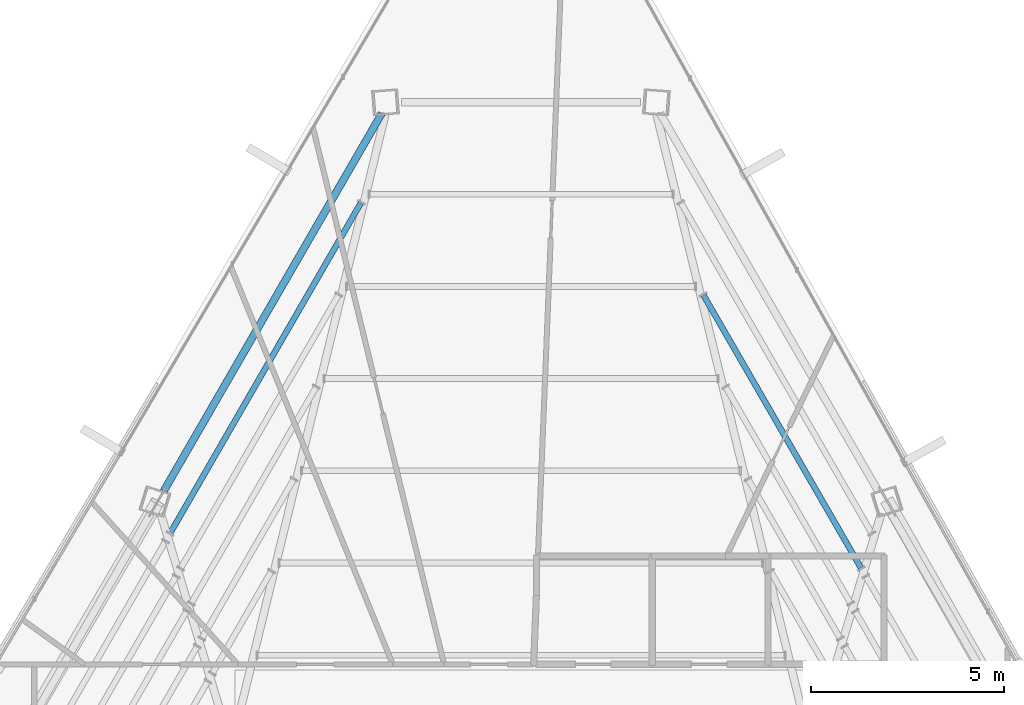
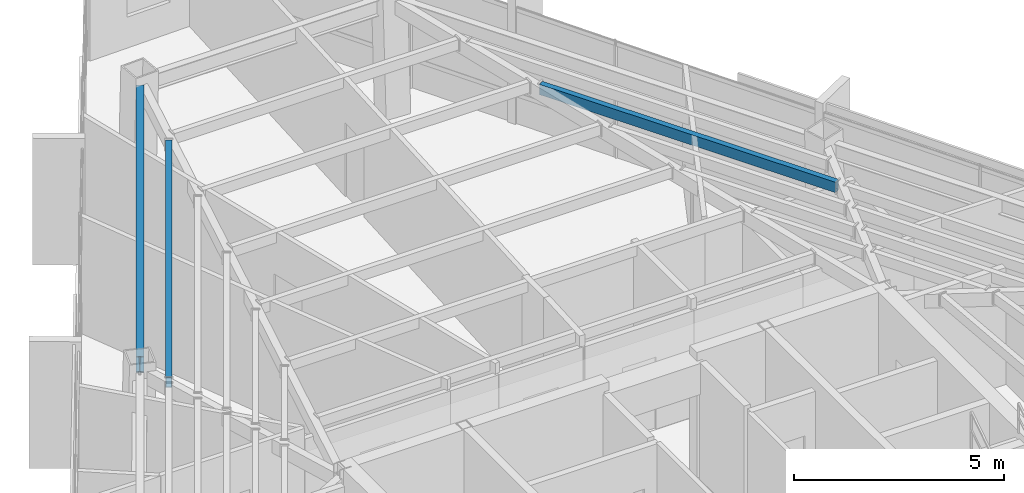
# One storey, part 31 of 48: 3 beams.
"""IFC4 building model written with IfcOpenShell, lengths in metres."""

import ifcopenshell
import ifcopenshell.guid

model = None  # the IFC model being written
_history = None  # IfcOwnerHistory: only IFC2X3 demands one
_inside = {}  # id of a spatial element -> (the spatial element, [elements in it])
_under = {}  # id of a project, library or spatial element -> (it, [spatial elements below it])
_declared = {}  # id of a project -> (the project, [libraries it declares])
_typed = {}  # id of a type object -> (the type object, [elements of that type])
_made_of = {}  # id of a material, layer set ... -> (it, [elements and type objects made of it])


def new_model(schema):
    """Start an empty IFC model of exactly this schema.

    Asked for "IFC4X3", IfcOpenShell would pick the latest addendum, in which some entities
    have other attributes; the version numbers below select the first issue.
    IFC2X3 requires an IfcOwnerHistory on every rooted entity: one is made here for all.
    """
    global model, _history
    if schema == "IFC4X3":
        model = ifcopenshell.file(schema_version=(4, 3, 0, 0))
    else:
        model = ifcopenshell.file(schema=schema)
    _inside.clear()
    _under.clear()
    _declared.clear()
    _typed.clear()
    _made_of.clear()
    _history = None
    if model.schema == "IFC2X3":
        org = make("IfcOrganization", Name="unknown")
        user = make(
            "IfcPersonAndOrganization",
            ThePerson=make("IfcPerson", FamilyName="unknown"),
            TheOrganization=org,
        )
        app = make(
            "IfcApplication",
            ApplicationDeveloper=org,
            Version="unknown",
            ApplicationFullName="unknown",
            ApplicationIdentifier="unknown",
        )
        _history = make(
            "IfcOwnerHistory",
            OwningUser=user,
            OwningApplication=app,
            ChangeAction="ADDED",
            CreationDate=0,
        )
    return model


def make(cls, **values):
    """One entity of the class cls with the attributes given. An attribute that is None is left unset."""
    return model.create_entity(
        cls, **{name: value for name, value in values.items() if value is not None}
    )


def rooted(cls, **values):
    """An entity with a GlobalId (a new one), such as an element, a storey or a relation."""
    return make(cls, GlobalId=ifcopenshell.guid.new(), OwnerHistory=_history, **values)


def si_unit(unit_type, name, prefix=None):
    """IfcSIUnit, for example si_unit("LENGTHUNIT", "METRE", prefix="MILLI")."""
    return make("IfcSIUnit", UnitType=unit_type, Prefix=prefix, Name=name)


def assignment(units):
    """IfcUnitAssignment: the units of a project."""
    return None if units is None else make("IfcUnitAssignment", Units=units)


def point(xyz):
    """IfcCartesianPoint."""
    return None if xyz is None else make("IfcCartesianPoint", Coordinates=xyz)


def direction(xyz):
    """IfcDirection."""
    return None if xyz is None else make("IfcDirection", DirectionRatios=xyz)


def frame(location, z_axis=None, x_axis=None):
    """IfcAxis2Placement3D, a coordinate frame: its origin and axes. An axis left out is left unset."""
    return make(
        "IfcAxis2Placement3D",
        Location=point(location),
        Axis=direction(z_axis),
        RefDirection=direction(x_axis),
    )


def frame_2d(location, x_axis=None):
    """IfcAxis2Placement2D, a coordinate frame in the plane: its origin and x axis."""
    return make(
        "IfcAxis2Placement2D", Location=point(location), RefDirection=direction(x_axis)
    )


def origin():
    """The frame at (0, 0, 0) with its axes left unset."""
    return frame((0.0, 0.0, 0.0))


def origin_2d():
    """The frame at (0, 0) in the plane with its x axis left unset."""
    return frame_2d((0.0, 0.0))


def place(relative_to, where):
    """IfcLocalPlacement: puts the frame where relative to a parent placement (None: the world)."""
    return make(
        "IfcLocalPlacement", PlacementRelTo=relative_to, RelativePlacement=where
    )


def context(
    kind, dimensions, precision=None, world=None, true_north=None, identifier=None
):
    """IfcGeometricRepresentationContext, for example the 3D "Model" context."""
    return make(
        "IfcGeometricRepresentationContext",
        ContextIdentifier=identifier,
        ContextType=kind,
        CoordinateSpaceDimension=dimensions,
        Precision=precision,
        WorldCoordinateSystem=world,
        TrueNorth=true_north,
    )


def subcontext(parent, identifier, kind, view, scale=None):
    """IfcGeometricRepresentationSubContext, for example "Body" below "Model"."""
    return make(
        "IfcGeometricRepresentationSubContext",
        ContextIdentifier=identifier,
        ContextType=kind,
        ParentContext=parent,
        TargetScale=scale,
        TargetView=view,
    )


def project(units=None, contexts=None):
    """IfcProject with its units and contexts."""
    return rooted(
        "IfcProject",
        Name="project",
        RepresentationContexts=contexts,
        UnitsInContext=assignment(units),
    )


def spatial(cls, under=None, at=None, **own):
    """A site, building, storey or space (cls), placed at a placement, below another one or the project."""
    s = rooted(cls, ObjectPlacement=at, **own)
    if under is not None:
        _under.setdefault(under.id(), (under, []))[1].append(s)
    return s


def profile(cls, at=None, kind="AREA", **sizes):
    """A parametric profile (cls). Its sizes go by their IFC names, for example OverallWidth=200.0."""
    return make(cls, ProfileType=kind, Position=at, **sizes)


def hollow_rectangle(**sizes):
    """IfcRectangleHollowProfileDef."""
    return profile("IfcRectangleHollowProfileDef", **sizes)


def i_section(**sizes):
    """IfcIShapeProfileDef."""
    return profile("IfcIShapeProfileDef", **sizes)


def extrude(swept, where, along, depth):
    """IfcExtrudedAreaSolid: the profile swept, set in the frame where, extruded along a direction by depth."""
    return make(
        "IfcExtrudedAreaSolid",
        SweptArea=swept,
        Position=where,
        ExtrudedDirection=direction(along),
        Depth=depth,
    )


def shape(context_of_items, identifier, shape_type, items):
    """IfcShapeRepresentation: the items that make up one representation, for example the "Body"."""
    return make(
        "IfcShapeRepresentation",
        ContextOfItems=context_of_items,
        RepresentationIdentifier=identifier,
        RepresentationType=shape_type,
        Items=items,
    )


def source(mapping_origin, context_of_items, identifier, shape_type, items):
    """IfcRepresentationMap: a shape defined once, which mapped items show again and again."""
    return make(
        "IfcRepresentationMap",
        MappingOrigin=mapping_origin,
        MappedRepresentation=shape(context_of_items, identifier, shape_type, items),
    )


def transform(
    local_origin,
    x_axis=None,
    y_axis=None,
    z_axis=None,
    scale=None,
    scale2=None,
    scale3=None,
    uniform=True,
):
    """IfcCartesianTransformationOperator3D, or its non-uniform kind. x_axis, y_axis, z_axis: its Axis1, 2, 3."""
    if uniform:
        return make(
            "IfcCartesianTransformationOperator3D",
            Axis1=direction(x_axis),
            Axis2=direction(y_axis),
            LocalOrigin=point(local_origin),
            Scale=scale,
            Axis3=direction(z_axis),
        )
    return make(
        "IfcCartesianTransformationOperator3DnonUniform",
        Axis1=direction(x_axis),
        Axis2=direction(y_axis),
        LocalOrigin=point(local_origin),
        Scale=scale,
        Axis3=direction(z_axis),
        Scale2=scale2,
        Scale3=scale3,
    )


def mapped(mapping_source, mapping_target):
    """IfcMappedItem: shows the shape of a source again, moved by a transform."""
    return make(
        "IfcMappedItem", MappingSource=mapping_source, MappingTarget=mapping_target
    )


def material(Name=None, Category=None):
    """IfcMaterial."""
    return make("IfcMaterial", Name=Name, Category=Category)


def material_profile(
    of_material, cross_section, Name=None, Category=None, Priority=None
):
    """IfcMaterialProfile: a cross section and its material."""
    return make(
        "IfcMaterialProfile",
        Name=Name,
        Material=of_material,
        Profile=cross_section,
        Priority=Priority,
        Category=Category,
    )


def profile_set(profiles, Name=None, composite=None):
    """IfcMaterialProfileSet."""
    return make(
        "IfcMaterialProfileSet",
        Name=Name,
        MaterialProfiles=profiles,
        CompositeProfile=composite,
    )


def made_of(thing, what):
    """Note that an element or type object is made of a material, layer set ...; save() writes the relation."""
    if what is not None:
        _made_of.setdefault(what.id(), (what, []))[1].append(thing)
    return thing


def type_object(cls, material=None, **own):
    """A type object (cls), such as IfcWallType, which elements share."""
    return made_of(rooted(cls, **own), material)


def type_shapes(of_type, sources):
    """Give a type object the sources (RepresentationMaps) that its elements show as mapped items."""
    of_type.RepresentationMaps = sources


def element(
    cls,
    number,
    at=None,
    inside=None,
    cuts=None,
    type_object=None,
    material=None,
    context=None,
    identifier="Body",
    shape_type=None,
    held_by="IfcProductDefinitionShape",
    body=None,
    shapes=None,
    **own,
):
    """One element of the class cls, such as IfcWall. Its Tag is "e" and its number.

    at: its placement. inside: the storey or other place that contains it. cuts: it is an
    opening in that element (IfcRelVoidsElement). A single representation is given by context,
    identifier, shape_type and body (its items); several are given by shapes. held_by: the class
    of the entity that holds the representations. save() writes the other relations.
    """
    e = rooted(cls, Tag="e%d" % number, ObjectPlacement=at, **own)
    if body is not None:
        shapes = [shape(context, identifier, shape_type, body)]
    if shapes is not None:
        e.Representation = make(held_by, Representations=shapes)
    if inside is not None:
        _inside.setdefault(inside.id(), (inside, []))[1].append(e)
    if cuts is not None:
        rooted(
            "IfcRelVoidsElement", RelatingBuildingElement=cuts, RelatedOpeningElement=e
        )
    if type_object is not None:
        _typed.setdefault(type_object.id(), (type_object, []))[1].append(e)
    return made_of(e, material)


def aggregate(whole, parts):
    """IfcRelAggregates: a whole, such as a stair, and the parts it consists of."""
    return rooted("IfcRelAggregates", RelatingObject=whole, RelatedObjects=parts)


def save(model, path):
    """Write the relations noted so far, then the file.

    IfcRelAggregates (storeys below a building ...), IfcRelContainedInSpatialStructure (elements
    in a storey), IfcRelDefinesByType, IfcRelAssociatesMaterial and IfcRelDeclares: one each for
    every whole, place, type object, material and project.
    """
    for whole, parts in _under.values():
        aggregate(whole, parts)
    for where, things in _inside.values():
        rooted(
            "IfcRelContainedInSpatialStructure",
            RelatedElements=things,
            RelatingStructure=where,
        )
    for kind, things in _typed.values():
        rooted("IfcRelDefinesByType", RelatedObjects=things, RelatingType=kind)
    for what, things in _made_of.values():
        rooted("IfcRelAssociatesMaterial", RelatedObjects=things, RelatingMaterial=what)
    for by, libraries in _declared.values():
        rooted("IfcRelDeclares", RelatingContext=by, RelatedDefinitions=libraries)
    model.write(path)


model = new_model("IFC4")

# Units and contexts
model_context = context("Model", 3, precision=1e-05, world=origin(), true_north=direction((0.0, 1.0)))
body_context = subcontext(model_context, "Body", "Model", "MODEL_VIEW")
ifc_project = project(units=[si_unit("LENGTHUNIT", "METRE"), si_unit("AREAUNIT", "SQUARE_METRE"), si_unit("VOLUMEUNIT", "CUBIC_METRE"), si_unit("PLANEANGLEUNIT", "RADIAN"), si_unit("MASSUNIT", "GRAM", prefix="KILO")], contexts=[model_context])

# Site, building, storey
site_placement = place(None, origin())
site = spatial("IfcSite", under=ifc_project, at=site_placement, CompositionType="ELEMENT")
building_placement = place(site_placement, origin())
building = spatial("IfcBuilding", under=site, at=building_placement, Name="Caelisora Broadcast Tower", CompositionType="ELEMENT")
storey_placement = place(building_placement, frame((0.0, 0.0, 270.0)))
storey = spatial("IfcBuildingStorey", under=building, at=storey_placement, Name="L71", CompositionType="ELEMENT", Elevation=270.0)

# Beams
ifc_material_1 = material(Name="Steel Grade 350 (AS/NZS 3679.1)", Category="steel")
ifc_material_profile_1 = material_profile(ifc_material_1, i_section(OverallWidth=0.19091796875, OverallDepth=0.46044921875, WebThickness=0.010009765625, FlangeThickness=0.01611328125, at=origin_2d()), Name="Steel Grade 350 (AS/NZS 3679.1)")
ifc_profile_set_1 = profile_set([ifc_material_profile_1], Name="Steel Grade 350 (AS/NZS 3679.1)")
beam_type_1 = type_object("IfcBeamType", Name="PG06", PredefinedType="BEAM", material=ifc_profile_set_1)
shared_shape_1 = source(origin(), body_context, "Body", "SweptSolid", [
    extrude(i_section(OverallWidth=0.19091796875, OverallDepth=0.46044921875, WebThickness=0.010009765625, FlangeThickness=0.01611328125, at=origin_2d()), origin(), (0.0, 0.0, 1.0), 11.288330078125),
])
type_shapes(beam_type_1, [shared_shape_1])
beam_1_placement = place(storey_placement, frame((34.397216796875, 46.412353515625, 3.169921875), z_axis=(-0.500012011807, -0.866018468653, 0.0), x_axis=(0.866018468653, -0.500012011807, 0.0)))
element("IfcBeam", 1, at=beam_1_placement, inside=storey, type_object=beam_type_1, Name="L71 beam PG06", PredefinedType="BEAM", context=body_context, shape_type="MappedRepresentation", body=[
    mapped(shared_shape_1, transform((0.0, 0.0, 0.0), scale=1.0)),
])
ifc_material_2 = material(Name="Steel Grade 350 (AS/NZS 1163 C350L0)", Category="steel")
ifc_material_profile_2 = material_profile(ifc_material_2, hollow_rectangle(XDim=0.14990234375, YDim=0.300048828125, WallThickness=0.010009765625, at=origin_2d()), Name="Steel Grade 350 (AS/NZS 1163 C350L0)")
ifc_profile_set_2 = profile_set([ifc_material_profile_2], Name="Steel Grade 350 (AS/NZS 1163 C350L0)")
beam_type_2 = type_object("IfcBeamType", Name="SB05", PredefinedType="JOIST", material=ifc_profile_set_2)
shared_shape_2 = source(origin(), body_context, "Body", "SweptSolid", [
    extrude(hollow_rectangle(XDim=0.14990234375, YDim=0.300048828125, WallThickness=0.010009765625, at=origin_2d()), origin(), (0.0, 0.0, 1.0), 8.151611328125),
])
beam_2_placement = place(storey_placement, frame((46.801513671875, 34.6474609375, 3.25), z_axis=(-0.500020597436, 0.866013511522, 0.0), x_axis=(-0.866013511523, -0.500020597436, 0.0)))
element("IfcBeam", 2, at=beam_2_placement, inside=storey, type_object=beam_type_2, Name="L71 beam SB05", PredefinedType="JOIST", context=body_context, shape_type="MappedRepresentation", body=[
    mapped(shared_shape_2, transform((0.0, 0.0, 0.0), scale=1.0)),
])
shared_shape_3 = source(origin(), body_context, "Body", "SweptSolid", [
    extrude(hollow_rectangle(XDim=0.14990234375, YDim=0.300048828125, WallThickness=0.010009765625, at=origin_2d()), origin(), (0.0, 0.0, 1.0), 9.860595703125),
])
type_shapes(beam_type_2, [shared_shape_2, shared_shape_3])
beam_3_placement = place(storey_placement, frame((33.85498046875, 44.09326171875, 3.25), z_axis=(-0.499989643469, -0.866031383048, 0.0), x_axis=(0.866031383048, -0.499989643469, 0.0)))
element("IfcBeam", 3, at=beam_3_placement, inside=storey, type_object=beam_type_2, Name="L71 beam SB05", PredefinedType="JOIST", context=body_context, shape_type="MappedRepresentation", body=[
    mapped(shared_shape_3, transform((0.0, 0.0, 0.0), scale=1.0)),
])

save(model, "model.ifc")
